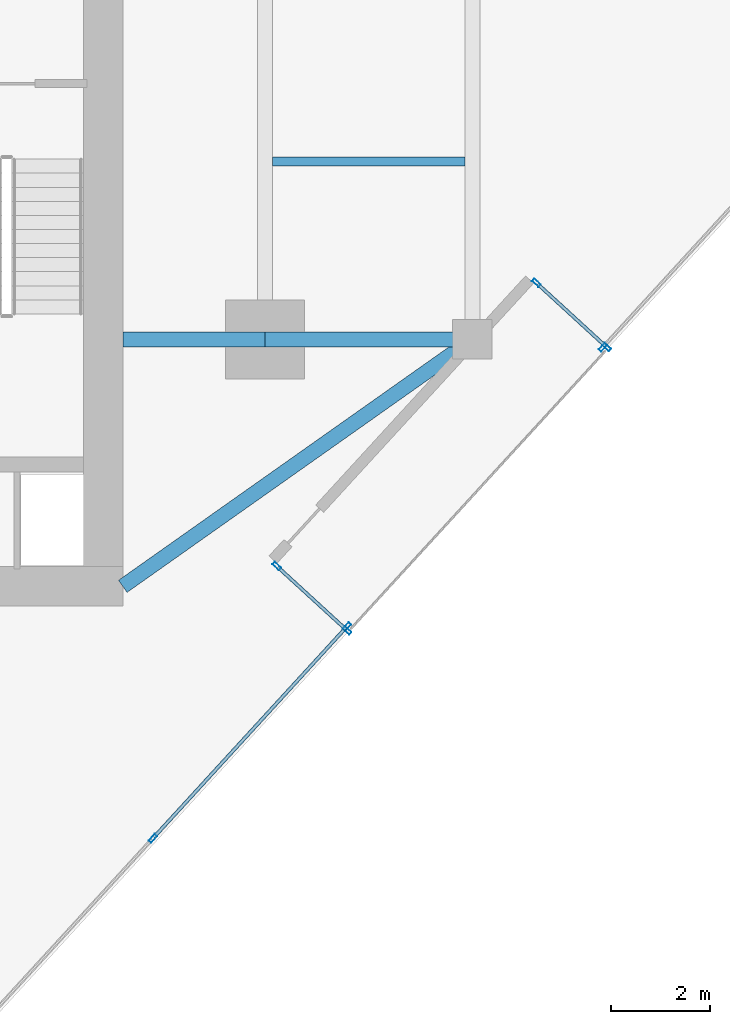
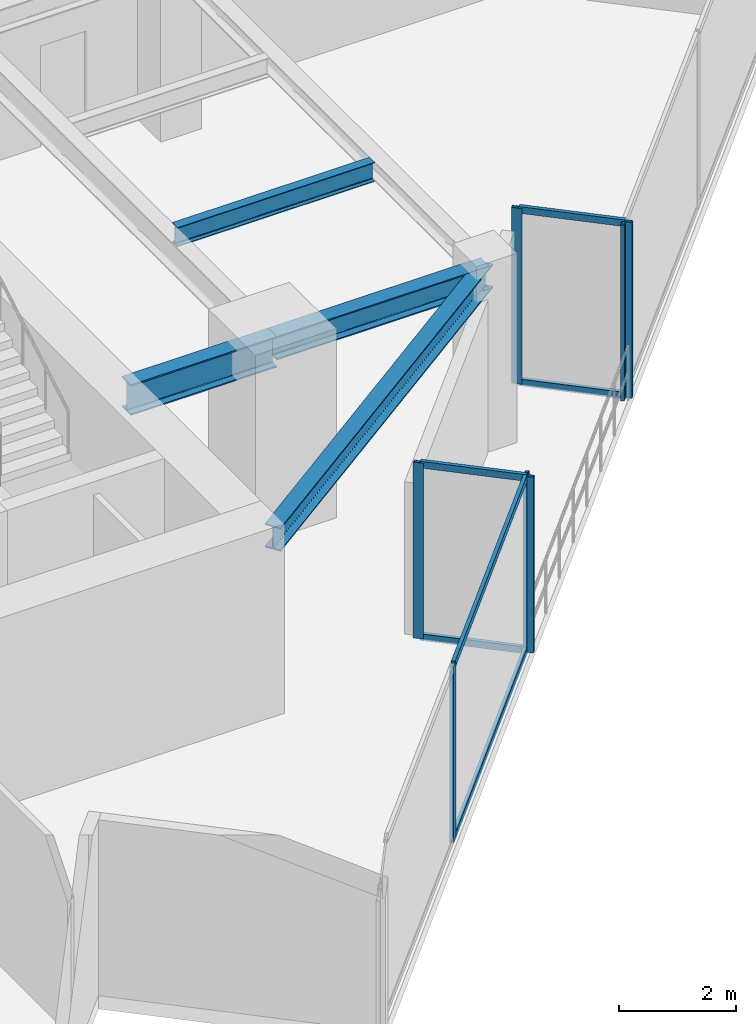
# One storey, part 10 of 26: 13 members, 4 beams, 4 elements without a shape of their own.
"""IFC4 building model written with IfcOpenShell, lengths in metres."""

import ifcopenshell
import ifcopenshell.guid

model = None  # the IFC model being written
_history = None  # IfcOwnerHistory: only IFC2X3 demands one
_inside = {}  # id of a spatial element -> (the spatial element, [elements in it])
_under = {}  # id of a project, library or spatial element -> (it, [spatial elements below it])
_declared = {}  # id of a project -> (the project, [libraries it declares])
_typed = {}  # id of a type object -> (the type object, [elements of that type])
_made_of = {}  # id of a material, layer set ... -> (it, [elements and type objects made of it])


def new_model(schema):
    """Start an empty IFC model of exactly this schema.

    Asked for "IFC4X3", IfcOpenShell would pick the latest addendum, in which some entities
    have other attributes; the version numbers below select the first issue.
    IFC2X3 requires an IfcOwnerHistory on every rooted entity: one is made here for all.
    """
    global model, _history
    if schema == "IFC4X3":
        model = ifcopenshell.file(schema_version=(4, 3, 0, 0))
    else:
        model = ifcopenshell.file(schema=schema)
    _inside.clear()
    _under.clear()
    _declared.clear()
    _typed.clear()
    _made_of.clear()
    _history = None
    if model.schema == "IFC2X3":
        org = make("IfcOrganization", Name="unknown")
        user = make(
            "IfcPersonAndOrganization",
            ThePerson=make("IfcPerson", FamilyName="unknown"),
            TheOrganization=org,
        )
        app = make(
            "IfcApplication",
            ApplicationDeveloper=org,
            Version="unknown",
            ApplicationFullName="unknown",
            ApplicationIdentifier="unknown",
        )
        _history = make(
            "IfcOwnerHistory",
            OwningUser=user,
            OwningApplication=app,
            ChangeAction="ADDED",
            CreationDate=0,
        )
    return model


def make(cls, **values):
    """One entity of the class cls with the attributes given. An attribute that is None is left unset."""
    return model.create_entity(
        cls, **{name: value for name, value in values.items() if value is not None}
    )


def rooted(cls, **values):
    """An entity with a GlobalId (a new one), such as an element, a storey or a relation."""
    return make(cls, GlobalId=ifcopenshell.guid.new(), OwnerHistory=_history, **values)


def si_unit(unit_type, name, prefix=None):
    """IfcSIUnit, for example si_unit("LENGTHUNIT", "METRE", prefix="MILLI")."""
    return make("IfcSIUnit", UnitType=unit_type, Prefix=prefix, Name=name)


def assignment(units):
    """IfcUnitAssignment: the units of a project."""
    return None if units is None else make("IfcUnitAssignment", Units=units)


def point(xyz):
    """IfcCartesianPoint."""
    return None if xyz is None else make("IfcCartesianPoint", Coordinates=xyz)


def direction(xyz):
    """IfcDirection."""
    return None if xyz is None else make("IfcDirection", DirectionRatios=xyz)


def frame(location, z_axis=None, x_axis=None):
    """IfcAxis2Placement3D, a coordinate frame: its origin and axes. An axis left out is left unset."""
    return make(
        "IfcAxis2Placement3D",
        Location=point(location),
        Axis=direction(z_axis),
        RefDirection=direction(x_axis),
    )


def frame_2d(location, x_axis=None):
    """IfcAxis2Placement2D, a coordinate frame in the plane: its origin and x axis."""
    return make(
        "IfcAxis2Placement2D", Location=point(location), RefDirection=direction(x_axis)
    )


def origin():
    """The frame at (0, 0, 0) with its axes left unset."""
    return frame((0.0, 0.0, 0.0))


def origin_2d():
    """The frame at (0, 0) in the plane with its x axis left unset."""
    return frame_2d((0.0, 0.0))


def place(relative_to, where):
    """IfcLocalPlacement: puts the frame where relative to a parent placement (None: the world)."""
    return make(
        "IfcLocalPlacement", PlacementRelTo=relative_to, RelativePlacement=where
    )


def context(
    kind, dimensions, precision=None, world=None, true_north=None, identifier=None
):
    """IfcGeometricRepresentationContext, for example the 3D "Model" context."""
    return make(
        "IfcGeometricRepresentationContext",
        ContextIdentifier=identifier,
        ContextType=kind,
        CoordinateSpaceDimension=dimensions,
        Precision=precision,
        WorldCoordinateSystem=world,
        TrueNorth=true_north,
    )


def subcontext(parent, identifier, kind, view, scale=None):
    """IfcGeometricRepresentationSubContext, for example "Body" below "Model"."""
    return make(
        "IfcGeometricRepresentationSubContext",
        ContextIdentifier=identifier,
        ContextType=kind,
        ParentContext=parent,
        TargetScale=scale,
        TargetView=view,
    )


def project(units=None, contexts=None):
    """IfcProject with its units and contexts."""
    return rooted(
        "IfcProject",
        Name="project",
        RepresentationContexts=contexts,
        UnitsInContext=assignment(units),
    )


def spatial(cls, under=None, at=None, **own):
    """A site, building, storey or space (cls), placed at a placement, below another one or the project."""
    s = rooted(cls, ObjectPlacement=at, **own)
    if under is not None:
        _under.setdefault(under.id(), (under, []))[1].append(s)
    return s


def profile(cls, at=None, kind="AREA", **sizes):
    """A parametric profile (cls). Its sizes go by their IFC names, for example OverallWidth=200.0."""
    return make(cls, ProfileType=kind, Position=at, **sizes)


def hollow_rectangle(**sizes):
    """IfcRectangleHollowProfileDef."""
    return profile("IfcRectangleHollowProfileDef", **sizes)


def i_section(**sizes):
    """IfcIShapeProfileDef."""
    return profile("IfcIShapeProfileDef", **sizes)


def extrude(swept, where, along, depth):
    """IfcExtrudedAreaSolid: the profile swept, set in the frame where, extruded along a direction by depth."""
    return make(
        "IfcExtrudedAreaSolid",
        SweptArea=swept,
        Position=where,
        ExtrudedDirection=direction(along),
        Depth=depth,
    )


def shape(context_of_items, identifier, shape_type, items):
    """IfcShapeRepresentation: the items that make up one representation, for example the "Body"."""
    return make(
        "IfcShapeRepresentation",
        ContextOfItems=context_of_items,
        RepresentationIdentifier=identifier,
        RepresentationType=shape_type,
        Items=items,
    )


def source(mapping_origin, context_of_items, identifier, shape_type, items):
    """IfcRepresentationMap: a shape defined once, which mapped items show again and again."""
    return make(
        "IfcRepresentationMap",
        MappingOrigin=mapping_origin,
        MappedRepresentation=shape(context_of_items, identifier, shape_type, items),
    )


def transform(
    local_origin,
    x_axis=None,
    y_axis=None,
    z_axis=None,
    scale=None,
    scale2=None,
    scale3=None,
    uniform=True,
):
    """IfcCartesianTransformationOperator3D, or its non-uniform kind. x_axis, y_axis, z_axis: its Axis1, 2, 3."""
    if uniform:
        return make(
            "IfcCartesianTransformationOperator3D",
            Axis1=direction(x_axis),
            Axis2=direction(y_axis),
            LocalOrigin=point(local_origin),
            Scale=scale,
            Axis3=direction(z_axis),
        )
    return make(
        "IfcCartesianTransformationOperator3DnonUniform",
        Axis1=direction(x_axis),
        Axis2=direction(y_axis),
        LocalOrigin=point(local_origin),
        Scale=scale,
        Axis3=direction(z_axis),
        Scale2=scale2,
        Scale3=scale3,
    )


def mapped(mapping_source, mapping_target):
    """IfcMappedItem: shows the shape of a source again, moved by a transform."""
    return make(
        "IfcMappedItem", MappingSource=mapping_source, MappingTarget=mapping_target
    )


def material(Name=None, Category=None):
    """IfcMaterial."""
    return make("IfcMaterial", Name=Name, Category=Category)


def material_profile(
    of_material, cross_section, Name=None, Category=None, Priority=None
):
    """IfcMaterialProfile: a cross section and its material."""
    return make(
        "IfcMaterialProfile",
        Name=Name,
        Material=of_material,
        Profile=cross_section,
        Priority=Priority,
        Category=Category,
    )


def profile_set(profiles, Name=None, composite=None):
    """IfcMaterialProfileSet."""
    return make(
        "IfcMaterialProfileSet",
        Name=Name,
        MaterialProfiles=profiles,
        CompositeProfile=composite,
    )


def made_of(thing, what):
    """Note that an element or type object is made of a material, layer set ...; save() writes the relation."""
    if what is not None:
        _made_of.setdefault(what.id(), (what, []))[1].append(thing)
    return thing


def type_object(cls, material=None, **own):
    """A type object (cls), such as IfcWallType, which elements share."""
    return made_of(rooted(cls, **own), material)


def type_shapes(of_type, sources):
    """Give a type object the sources (RepresentationMaps) that its elements show as mapped items."""
    of_type.RepresentationMaps = sources


def element(
    cls,
    number,
    at=None,
    inside=None,
    cuts=None,
    type_object=None,
    material=None,
    context=None,
    identifier="Body",
    shape_type=None,
    held_by="IfcProductDefinitionShape",
    body=None,
    shapes=None,
    **own,
):
    """One element of the class cls, such as IfcWall. Its Tag is "e" and its number.

    at: its placement. inside: the storey or other place that contains it. cuts: it is an
    opening in that element (IfcRelVoidsElement). A single representation is given by context,
    identifier, shape_type and body (its items); several are given by shapes. held_by: the class
    of the entity that holds the representations. save() writes the other relations.
    """
    e = rooted(cls, Tag="e%d" % number, ObjectPlacement=at, **own)
    if body is not None:
        shapes = [shape(context, identifier, shape_type, body)]
    if shapes is not None:
        e.Representation = make(held_by, Representations=shapes)
    if inside is not None:
        _inside.setdefault(inside.id(), (inside, []))[1].append(e)
    if cuts is not None:
        rooted(
            "IfcRelVoidsElement", RelatingBuildingElement=cuts, RelatedOpeningElement=e
        )
    if type_object is not None:
        _typed.setdefault(type_object.id(), (type_object, []))[1].append(e)
    return made_of(e, material)


def aggregate(whole, parts):
    """IfcRelAggregates: a whole, such as a stair, and the parts it consists of."""
    return rooted("IfcRelAggregates", RelatingObject=whole, RelatedObjects=parts)


def save(model, path):
    """Write the relations noted so far, then the file.

    IfcRelAggregates (storeys below a building ...), IfcRelContainedInSpatialStructure (elements
    in a storey), IfcRelDefinesByType, IfcRelAssociatesMaterial and IfcRelDeclares: one each for
    every whole, place, type object, material and project.
    """
    for whole, parts in _under.values():
        aggregate(whole, parts)
    for where, things in _inside.values():
        rooted(
            "IfcRelContainedInSpatialStructure",
            RelatedElements=things,
            RelatingStructure=where,
        )
    for kind, things in _typed.values():
        rooted("IfcRelDefinesByType", RelatedObjects=things, RelatingType=kind)
    for what, things in _made_of.values():
        rooted("IfcRelAssociatesMaterial", RelatedObjects=things, RelatingMaterial=what)
    for by, libraries in _declared.values():
        rooted("IfcRelDeclares", RelatingContext=by, RelatedDefinitions=libraries)
    model.write(path)


model = new_model("IFC4")

# Units and contexts
model_context = context("Model", 3, precision=1e-05, world=origin(), true_north=direction((0.0, 1.0)))
body_context = subcontext(model_context, "Body", "Model", "MODEL_VIEW")
ifc_project = project(units=[si_unit("LENGTHUNIT", "METRE"), si_unit("AREAUNIT", "SQUARE_METRE"), si_unit("VOLUMEUNIT", "CUBIC_METRE"), si_unit("PLANEANGLEUNIT", "RADIAN"), si_unit("MASSUNIT", "GRAM", prefix="KILO")], contexts=[model_context])

# Site, building, storey
site_placement = place(None, origin())
site = spatial("IfcSite", under=ifc_project, at=site_placement, CompositionType="ELEMENT")
building_placement = place(site_placement, origin())
building = spatial("IfcBuilding", under=site, at=building_placement, Name="Krantzveldt Concourse Tower", CompositionType="ELEMENT")
storey_placement = place(building_placement, frame((0.0, 0.0, 227.050048828125)))
storey = spatial("IfcBuildingStorey", under=building, at=storey_placement, Name="L55", CompositionType="ELEMENT", Elevation=227.050048828125)

# Beams
ifc_material_1 = material(Name="Steel S355JR", Category="steel")
ifc_material_profile_1 = material_profile(ifc_material_1, i_section(OverallWidth=0.300048828125, OverallDepth=0.639892578125, WebThickness=0.013427734375, FlangeThickness=0.02587890625, FilletRadius=0.027099609375, at=origin_2d()), Name="Steel S355JR", Category="steel")
ifc_profile_set_1 = profile_set([ifc_material_profile_1], Name="Steel S355JR - HEA 650")
beam_type_1 = type_object("IfcBeamType", Name="BM-B-HEA650", PredefinedType="BEAM", material=ifc_profile_set_1)
shared_shape_1 = source(origin(), body_context, "Body", "SweptSolid", [
    extrude(i_section(OverallWidth=0.300048828125, OverallDepth=0.639892578125, WebThickness=0.013427734375, FlangeThickness=0.02587890625, FilletRadius=0.027099609375, at=origin_2d()), origin(), (0.0, 0.0, 1.0), 2.880126953125),
])
type_shapes(beam_type_1, [shared_shape_1])
beam_1_placement = place(storey_placement, frame((43.919921875, 15.89990234375, 3.349853515625), z_axis=(1.0, 0.0, 0.0), x_axis=(0.0, 1.0, 0.0)))
element("IfcBeam", 1, at=beam_1_placement, inside=storey, type_object=beam_type_1, Name="L55 Tower Girder BG-CE1", PredefinedType="BEAM", context=body_context, shape_type="MappedRepresentation", body=[
    mapped(shared_shape_1, transform((0.0, 0.0, 0.0), x_axis=(1.0, 0.0, 0.0), y_axis=(0.0, 1.0, 0.0), z_axis=(0.0, 0.0, 1.0), scale=1.0)),
])
ifc_material_profile_2 = material_profile(ifc_material_1, i_section(OverallWidth=0.300048828125, OverallDepth=0.489990234375, WebThickness=0.011962890625, FlangeThickness=0.02294921875, FilletRadius=0.027099609375, at=origin_2d()), Name="Steel S355JR", Category="steel")
ifc_profile_set_2 = profile_set([ifc_material_profile_2], Name="Steel S355JR - HEA 500")
beam_type_2 = type_object("IfcBeamType", Name="BM-B-HEA500", PredefinedType="BEAM", material=ifc_profile_set_2)
shared_shape_2 = source(origin(), body_context, "Body", "SweptSolid", [
    extrude(i_section(OverallWidth=0.300048828125, OverallDepth=0.489990234375, WebThickness=0.011962890625, FlangeThickness=0.02294921875, FilletRadius=0.027099609375, at=origin_2d()), origin(), (0.0, 0.0, 1.0), 4.199951171875),
])
beam_2_placement = place(storey_placement, frame((46.800048828125, 15.89990234375, 3.425048828125), z_axis=(1.0, 0.0, 0.0), x_axis=(0.0, 1.0, 0.0)))
element("IfcBeam", 2, at=beam_2_placement, inside=storey, type_object=beam_type_2, Name="L55 Tower Girder BR-RR1", PredefinedType="BEAM", context=body_context, shape_type="MappedRepresentation", body=[
    mapped(shared_shape_2, transform((0.0, 0.0, 0.0), x_axis=(1.0, 0.0, 0.0), y_axis=(0.0, 1.0, 0.0), z_axis=(0.0, 0.0, 1.0), scale=1.0)),
])
shared_shape_3 = source(origin(), body_context, "Body", "SweptSolid", [
    extrude(i_section(OverallWidth=0.300048828125, OverallDepth=0.489990234375, WebThickness=0.011962890625, FlangeThickness=0.02294921875, FilletRadius=0.027099609375, at=origin_2d()), origin(), (0.0, 0.0, 1.0), 8.667724609375),
])
type_shapes(beam_type_2, [shared_shape_2, shared_shape_3])
beam_3_placement = place(storey_placement, frame((51.0, 15.89990234375, 3.425048828125), z_axis=(-0.81684294656, -0.576860122261, 0.0), x_axis=(0.576860122261, -0.81684294656, 0.0)))
element("IfcBeam", 3, at=beam_3_placement, inside=storey, type_object=beam_type_2, Name="L55 Tower Girder BR-CSE", PredefinedType="BEAM", context=body_context, shape_type="MappedRepresentation", body=[
    mapped(shared_shape_3, transform((0.0, 0.0, 0.0), x_axis=(1.0, 0.0, 0.0), y_axis=(0.0, 1.0, 0.0), z_axis=(0.0, 0.0, 1.0), scale=1.0)),
])
ifc_material_profile_3 = material_profile(ifc_material_1, i_section(OverallWidth=0.179931640625, OverallDepth=0.39990234375, WebThickness=0.008544921875, FlangeThickness=0.013427734375, FilletRadius=0.02099609375, at=origin_2d()), Name="Steel S355JR", Category="steel")
ifc_profile_set_3 = profile_set([ifc_material_profile_3], Name="Steel S355JR - IPE 400")
beam_type_3 = type_object("IfcBeamType", Name="BM-J-IPE400", PredefinedType="JOIST", material=ifc_profile_set_3)
shared_shape_4 = source(origin(), body_context, "Body", "SweptSolid", [
    extrude(i_section(OverallWidth=0.179931640625, OverallDepth=0.39990234375, WebThickness=0.008544921875, FlangeThickness=0.013427734375, FilletRadius=0.02099609375, at=origin_2d()), origin(), (0.0, 0.0, 1.0), 3.900146484375),
])
type_shapes(beam_type_3, [shared_shape_4])
beam_4_placement = place(storey_placement, frame((46.949951171875, 19.5, 3.469970703125), z_axis=(1.0, 0.0, 0.0), x_axis=(0.0, 1.0, 0.0)))
element("IfcBeam", 4, at=beam_4_placement, inside=storey, type_object=beam_type_3, Name="L55 Secondary Floor Joist JE-1", PredefinedType="JOIST", context=body_context, shape_type="MappedRepresentation", body=[
    mapped(shared_shape_4, transform((0.0, 0.0, 0.0), x_axis=(1.0, 0.0, 0.0), y_axis=(0.0, 1.0, 0.0), z_axis=(0.0, 0.0, 1.0), scale=1.0)),
])

# Curtain wall, members
ifc_material_2 = material(Name="Anodised aluminium 6063-T6", Category="aluminium")
curtain_wall_type_1 = type_object("IfcCurtainWallType", Name="CW3", PredefinedType="USERDEFINED", material=ifc_material_2)
curtain_wall_1_placement = place(storey_placement, origin())
curtain_wall_1 = element("IfcCurtainWall", 5, at=curtain_wall_1_placement, inside=storey, type_object=curtain_wall_type_1, Name="CW-L55-F07", ObjectType="UNITISED CURTAIN WALL", PredefinedType="USERDEFINED")
ifc_material_profile_4 = material_profile(ifc_material_2, hollow_rectangle(XDim=0.070068359375, YDim=0.179931640625, WallThickness=0.0048828125, at=origin_2d()), Name="Anodised aluminium 6063-T6", Category="aluminium")
ifc_profile_set_4 = profile_set([ifc_material_profile_4], Name="Anodised aluminium 6063-T6 - ALU-MULL 180x70x5")
member_type_1 = type_object("IfcMemberType", Name="CW-MUL-180", PredefinedType="MULLION", material=ifc_profile_set_4)
shared_shape_5 = source(origin(), body_context, "Body", "SweptSolid", [
    extrude(hollow_rectangle(XDim=0.070068359375, YDim=0.179931640625, WallThickness=0.0048828125, at=origin_2d()), origin(), (0.0, 0.0, 1.0), 3.669921875),
])
type_shapes(member_type_1, [shared_shape_5])
member_1_placement = place(storey_placement, frame((44.5283203125, 5.79638671875, 0.0), z_axis=(0.0, 0.0, 1.0), x_axis=(-0.737277769208, 0.675589735736, 0.0)))
member_1 = element("IfcMember", 6, at=member_1_placement, type_object=member_type_1, Name="CW-Z34 mullion 2", PredefinedType="MULLION", context=body_context, shape_type="MappedRepresentation", body=[
    mapped(shared_shape_5, transform((0.0, 0.0, 0.0), x_axis=(1.0, 0.0, 0.0), y_axis=(0.0, 1.0, 0.0), z_axis=(0.0, 0.0, 1.0), scale=1.0)),
])
member_2_placement = place(storey_placement, frame((48.45703125, 10.083740234375, 0.0), z_axis=(0.0, 0.0, 1.0), x_axis=(-0.737277769208, 0.675589735736, 0.0)))
member_2 = element("IfcMember", 7, at=member_2_placement, type_object=member_type_1, Name="CW-Z34 mullion 3", PredefinedType="MULLION", context=body_context, shape_type="MappedRepresentation", body=[
    mapped(shared_shape_5, transform((0.0, 0.0, 0.0), x_axis=(1.0, 0.0, 0.0), y_axis=(0.0, 1.0, 0.0), z_axis=(0.0, 0.0, 1.0), scale=1.0)),
])

curtain_wall_type_2 = type_object("IfcCurtainWallType", Name="CW6", PredefinedType="USERDEFINED", material=ifc_material_2)
curtain_wall_2_placement = place(storey_placement, origin())
curtain_wall_2 = element("IfcCurtainWall", 8, at=curtain_wall_2_placement, inside=storey, type_object=curtain_wall_type_2, Name="CW-L55-TR08", ObjectType="UNITISED CURTAIN WALL", PredefinedType="USERDEFINED")
member_3_placement = place(storey_placement, frame((48.46044921875, 10.006103515625, 0.0), z_axis=(0.0, 0.0, 1.0), x_axis=(-0.675591258718, -0.737276373651, 0.0)))
member_3 = element("IfcMember", 9, at=member_3_placement, type_object=member_type_1, Name="CW-TERR mullion 1", PredefinedType="MULLION", context=body_context, shape_type="MappedRepresentation", body=[
    mapped(shared_shape_5, transform((0.0, 0.0, 0.0), x_axis=(1.0, 0.0, 0.0), y_axis=(0.0, 1.0, 0.0), z_axis=(0.0, 0.0, 1.0), scale=1.0)),
])
member_4_placement = place(storey_placement, frame((47.037353515625, 11.309814453125, 0.0), z_axis=(0.0, 0.0, 1.0), x_axis=(-0.675591258718, -0.737276373651, 0.0)))
member_4 = element("IfcMember", 10, at=member_4_placement, type_object=member_type_1, Name="CW-TERR mullion 2", PredefinedType="MULLION", context=body_context, shape_type="MappedRepresentation", body=[
    mapped(shared_shape_5, transform((0.0, 0.0, 0.0), x_axis=(1.0, 0.0, 0.0), y_axis=(0.0, 1.0, 0.0), z_axis=(0.0, 0.0, 1.0), scale=1.0)),
])

curtain_wall_3_placement = place(storey_placement, origin())
curtain_wall_3 = element("IfcCurtainWall", 11, at=curtain_wall_3_placement, inside=storey, type_object=curtain_wall_type_2, Name="CW-L55-TR10", ObjectType="UNITISED CURTAIN WALL", PredefinedType="USERDEFINED")
member_5_placement = place(storey_placement, frame((52.29345703125, 17.0458984375, 0.0), z_axis=(0.0, 0.0, 1.0), x_axis=(0.675591486119, 0.737276165275, 0.0)))
member_5 = element("IfcMember", 12, at=member_5_placement, type_object=member_type_1, Name="CW-TERR mullion 1", PredefinedType="MULLION", context=body_context, shape_type="MappedRepresentation", body=[
    mapped(shared_shape_5, transform((0.0, 0.0, 0.0), x_axis=(1.0, 0.0, 0.0), y_axis=(0.0, 1.0, 0.0), z_axis=(0.0, 0.0, 1.0), scale=1.0)),
])
member_6_placement = place(storey_placement, frame((53.71630859375, 15.741943359375, 0.0), z_axis=(0.0, 0.0, 1.0), x_axis=(0.675591486119, 0.737276165275, 0.0)))
member_6 = element("IfcMember", 13, at=member_6_placement, type_object=member_type_1, Name="CW-TERR mullion 2", PredefinedType="MULLION", context=body_context, shape_type="MappedRepresentation", body=[
    mapped(shared_shape_5, transform((0.0, 0.0, 0.0), x_axis=(1.0, 0.0, 0.0), y_axis=(0.0, 1.0, 0.0), z_axis=(0.0, 0.0, 1.0), scale=1.0)),
])

# Curtain wall, member
curtain_wall_4_placement = place(storey_placement, origin())
curtain_wall_4 = element("IfcCurtainWall", 14, at=curtain_wall_4_placement, inside=storey, type_object=curtain_wall_type_1, Name="CW-L55-F11", ObjectType="UNITISED CURTAIN WALL", PredefinedType="USERDEFINED")
member_7_placement = place(storey_placement, frame((53.638671875, 15.73876953125, 0.0), z_axis=(0.0, 0.0, 1.0), x_axis=(-0.737277769208, 0.675589735736, 0.0)))
member_7 = element("IfcMember", 15, at=member_7_placement, type_object=member_type_1, Name="CW-Z34 mullion 1", PredefinedType="MULLION", context=body_context, shape_type="MappedRepresentation", body=[
    mapped(shared_shape_5, transform((0.0, 0.0, 0.0), x_axis=(1.0, 0.0, 0.0), y_axis=(0.0, 1.0, 0.0), z_axis=(0.0, 0.0, 1.0), scale=1.0)),
])
aggregate(curtain_wall_4, [member_7])

# Member
ifc_material_profile_5 = material_profile(ifc_material_2, hollow_rectangle(XDim=0.070068359375, YDim=0.139892578125, WallThickness=0.0048828125, at=origin_2d()), Name="Anodised aluminium 6063-T6", Category="aluminium")
ifc_profile_set_5 = profile_set([ifc_material_profile_5], Name="Anodised aluminium 6063-T6 - ALU-TRAN 140x70x5")
member_type_2 = type_object("IfcMemberType", Name="CW-TRN-150", PredefinedType="USERDEFINED", material=ifc_profile_set_5)
shared_shape_6 = source(origin(), body_context, "Body", "SweptSolid", [
    extrude(hollow_rectangle(XDim=0.070068359375, YDim=0.139892578125, WallThickness=0.0048828125, at=origin_2d()), origin(), (0.0, 0.0, 1.0), 1.860107421875),
])
member_8_placement = place(storey_placement, frame((48.4345703125, 10.02978515625, 0.034912109375), z_axis=(-0.737279442319, 0.675587909848, 0.0), x_axis=(-0.675587909848, -0.737279442319, 0.0)))
member_8 = element("IfcMember", 16, at=member_8_placement, type_object=member_type_2, Name="CW-TERR transom 1.1", ObjectType="TRANSOM", PredefinedType="USERDEFINED", context=body_context, shape_type="MappedRepresentation", body=[
    mapped(shared_shape_6, transform((0.0, 0.0, 0.0), x_axis=(1.0, 0.0, 0.0), y_axis=(0.0, 1.0, 0.0), z_axis=(0.0, 0.0, 1.0), scale=1.0)),
])

member_9_placement = place(storey_placement, frame((48.4345703125, 10.02978515625, 3.635009765625), z_axis=(-0.737279442319, 0.675587909848, 0.0), x_axis=(-0.675587909848, -0.737279442319, 0.0)))
member_9 = element("IfcMember", 17, at=member_9_placement, type_object=member_type_2, Name="CW-TERR transom 1.2", ObjectType="TRANSOM", PredefinedType="USERDEFINED", context=body_context, shape_type="MappedRepresentation", body=[
    mapped(shared_shape_6, transform((0.0, 0.0, 0.0), x_axis=(1.0, 0.0, 0.0), y_axis=(0.0, 1.0, 0.0), z_axis=(0.0, 0.0, 1.0), scale=1.0)),
])

aggregate(curtain_wall_2, [member_3, member_4, member_8, member_9])

member_10_placement = place(storey_placement, frame((52.3193359375, 17.022216796875, 0.034912109375), z_axis=(0.737279442319, -0.675587909848, 0.0), x_axis=(0.675587909848, 0.737279442319, 0.0)))
member_10 = element("IfcMember", 18, at=member_10_placement, type_object=member_type_2, Name="CW-TERR transom 1.1", ObjectType="TRANSOM", PredefinedType="USERDEFINED", context=body_context, shape_type="MappedRepresentation", body=[
    mapped(shared_shape_6, transform((0.0, 0.0, 0.0), x_axis=(1.0, 0.0, 0.0), y_axis=(0.0, 1.0, 0.0), z_axis=(0.0, 0.0, 1.0), scale=1.0)),
])

member_11_placement = place(storey_placement, frame((52.3193359375, 17.022216796875, 3.635009765625), z_axis=(0.737279442319, -0.675587909848, 0.0), x_axis=(0.675587909848, 0.737279442319, 0.0)))
member_11 = element("IfcMember", 19, at=member_11_placement, type_object=member_type_2, Name="CW-TERR transom 1.2", ObjectType="TRANSOM", PredefinedType="USERDEFINED", context=body_context, shape_type="MappedRepresentation", body=[
    mapped(shared_shape_6, transform((0.0, 0.0, 0.0), x_axis=(1.0, 0.0, 0.0), y_axis=(0.0, 1.0, 0.0), z_axis=(0.0, 0.0, 1.0), scale=1.0)),
])

aggregate(curtain_wall_3, [member_5, member_6, member_10, member_11])

shared_shape_7 = source(origin(), body_context, "Body", "SweptSolid", [
    extrude(hollow_rectangle(XDim=0.070068359375, YDim=0.139892578125, WallThickness=0.0048828125, at=origin_2d()), origin(), (0.0, 0.0, 1.0), 5.7451171875),
])
type_shapes(member_type_2, [shared_shape_6, shared_shape_7])
member_12_placement = place(storey_placement, frame((44.552001953125, 5.822265625, 0.034912109375), z_axis=(0.675603385152, 0.737265261606, 0.0), x_axis=(-0.737265261606, 0.675603385152, 0.0)))
member_12 = element("IfcMember", 20, at=member_12_placement, type_object=member_type_2, Name="CW-Z34 transom 2.1", ObjectType="TRANSOM", PredefinedType="USERDEFINED", context=body_context, shape_type="MappedRepresentation", body=[
    mapped(shared_shape_7, transform((0.0, 0.0, 0.0), x_axis=(1.0, 0.0, 0.0), y_axis=(0.0, 1.0, 0.0), z_axis=(0.0, 0.0, 1.0), scale=1.0)),
])

member_13_placement = place(storey_placement, frame((44.552001953125, 5.822265625, 3.635009765625), z_axis=(0.675603385152, 0.737265261606, 0.0), x_axis=(-0.737265261606, 0.675603385152, 0.0)))
member_13 = element("IfcMember", 21, at=member_13_placement, type_object=member_type_2, Name="CW-Z34 transom 2.2", ObjectType="TRANSOM", PredefinedType="USERDEFINED", context=body_context, shape_type="MappedRepresentation", body=[
    mapped(shared_shape_7, transform((0.0, 0.0, 0.0), x_axis=(1.0, 0.0, 0.0), y_axis=(0.0, 1.0, 0.0), z_axis=(0.0, 0.0, 1.0), scale=1.0)),
])

aggregate(curtain_wall_1, [member_1, member_2, member_12, member_13])

save(model, "model.ifc")
